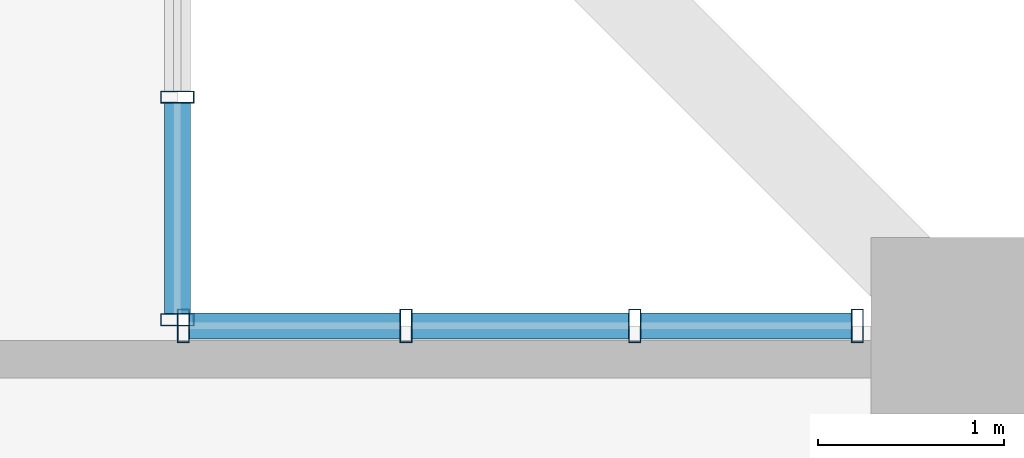
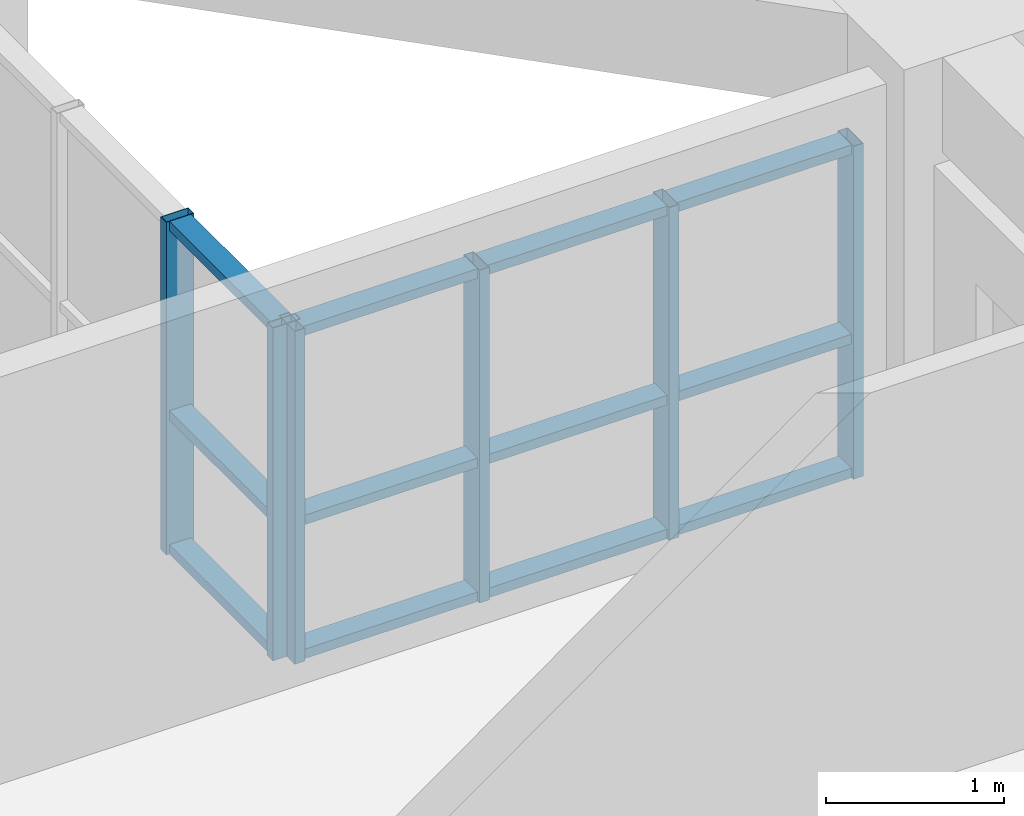
# One storey, part 10 of 26: 18 members, 2 elements without a shape of their own.
"""IFC4 building model written with IfcOpenShell, lengths in metres."""

from ifc_helpers import new_model, si_unit, direction, frame, origin, origin_2d, place, context, subcontext, project, spatial, hollow_rectangle, extrude, source, transform, mapped, material, layer, layer_set, material_profile, profile_set, type_object, element, aggregate, save


model = new_model("IFC4")

# Units and contexts
model_context = context("Model", 3, precision=1e-05, world=origin(), true_north=direction((0.0, 1.0)))
body_context = subcontext(model_context, "Body", "Model", "MODEL_VIEW")
ifc_project = project(units=[si_unit("LENGTHUNIT", "METRE"), si_unit("AREAUNIT", "SQUARE_METRE"), si_unit("VOLUMEUNIT", "CUBIC_METRE"), si_unit("PLANEANGLEUNIT", "RADIAN"), si_unit("MASSUNIT", "GRAM", prefix="KILO")], contexts=[model_context])

# Site, building, storey
site_placement = place(None, origin())
site = spatial("IfcSite", under=ifc_project, at=site_placement, CompositionType="ELEMENT")
building_placement = place(site_placement, origin())
building = spatial("IfcBuilding", under=site, at=building_placement, Name="Saelheon Loggia Tower", CompositionType="ELEMENT")
storey_placement = place(building_placement, frame((0.0, 0.0, 116.85009765625)))
storey = spatial("IfcBuildingStorey", under=building, at=storey_placement, Name="L37", CompositionType="ELEMENT", Elevation=116.85009765625)

# Curtain wall, members
ifc_material_1 = material(Name="Thermal-Break Aluminium and Triple Low-E Glass", Category="aluminium")
ifc_layer = layer(ifc_material_1, 0.159912109375)
ifc_layer_set = layer_set([ifc_layer], Name="Thermal-Break Aluminium and Triple Low-E Glass")
curtain_wall_type = type_object("IfcCurtainWallType", Name="CW_TowerLoggiaLow", PredefinedType="NOTDEFINED", material=ifc_layer_set)
curtain_wall_1_placement = place(storey_placement, origin())
curtain_wall_1 = element("IfcCurtainWall", 1, at=curtain_wall_1_placement, inside=storey, type_object=curtain_wall_type, Name="L37 Corner Notch Glazing NE1", PredefinedType="NOTDEFINED")
ifc_material_2 = material(Name="Anodised Aluminium 6063-T6", Category="aluminium")
ifc_material_profile_1 = material_profile(ifc_material_2, hollow_rectangle(XDim=0.06494140625, YDim=0.179931640625, WallThickness=0.00390625, at=origin_2d()), Name="RHS-180x65x4")
ifc_profile_set_1 = profile_set([ifc_material_profile_1], Name="Anodised Aluminium 6063-T6")
member_type_1 = type_object("IfcMemberType", Name="CW_TowerLoggiaLow_Mullion", PredefinedType="MULLION", material=ifc_profile_set_1)
shared_shape_1 = source(origin(), body_context, "Body", "SweptSolid", [
    extrude(hollow_rectangle(XDim=0.06494140625, YDim=0.179931640625, WallThickness=0.00390625, at=origin_2d()), origin(), (0.0, 0.0, 1.0), 2.27978515625),
])
member_1_placement = place(storey_placement, frame((59.800048828125, 46.83251953125, 0.0), z_axis=(0.0, 0.0, 1.0), x_axis=(0.0, 1.0, 0.0)))
member_1 = element("IfcMember", 2, at=member_1_placement, type_object=member_type_1, Name="CW3 mullion 1", PredefinedType="MULLION", context=body_context, shape_type="MappedRepresentation", body=[
    mapped(shared_shape_1, transform((0.0, 0.0, 0.0), scale=1.0)),
])
member_2_placement = place(storey_placement, frame((59.800048828125, 48.0283203125, 0.0), z_axis=(0.0, 0.0, 1.0), x_axis=(0.0, 1.0, 0.0)))
member_2 = element("IfcMember", 3, at=member_2_placement, type_object=member_type_1, Name="CW3 mullion 2", PredefinedType="MULLION", context=body_context, shape_type="MappedRepresentation", body=[
    mapped(shared_shape_1, transform((0.0, 0.0, 0.0), scale=1.0)),
])

curtain_wall_2_placement = place(storey_placement, origin())
curtain_wall_2 = element("IfcCurtainWall", 4, at=curtain_wall_2_placement, inside=storey, type_object=curtain_wall_type, Name="L37 Corner Notch Glazing NE2", PredefinedType="NOTDEFINED")
member_3_placement = place(storey_placement, frame((59.83251953125, 46.800048828125, 0.0), z_axis=(0.0, 0.0, 1.0), x_axis=(1.0, 0.0, 0.0)))
member_3 = element("IfcMember", 5, at=member_3_placement, type_object=member_type_1, Name="CW3 mullion 1", PredefinedType="MULLION", context=body_context, shape_type="MappedRepresentation", body=[
    mapped(shared_shape_1, transform((0.0, 0.0, 0.0), scale=1.0)),
])
member_4_placement = place(storey_placement, frame((61.0283203125, 46.800048828125, 0.0), z_axis=(0.0, 0.0, 1.0), x_axis=(1.0, 0.0, 0.0)))
member_4 = element("IfcMember", 6, at=member_4_placement, type_object=member_type_1, Name="CW3 mullion 2", PredefinedType="MULLION", context=body_context, shape_type="MappedRepresentation", body=[
    mapped(shared_shape_1, transform((0.0, 0.0, 0.0), scale=1.0)),
])
member_5_placement = place(storey_placement, frame((62.256591796875, 46.800048828125, 0.0), z_axis=(0.0, 0.0, 1.0), x_axis=(1.0, 0.0, 0.0)))
member_5 = element("IfcMember", 7, at=member_5_placement, type_object=member_type_1, Name="CW3 mullion 3", PredefinedType="MULLION", context=body_context, shape_type="MappedRepresentation", body=[
    mapped(shared_shape_1, transform((0.0, 0.0, 0.0), scale=1.0)),
])
member_6_placement = place(storey_placement, frame((63.452392578125, 46.800048828125, 0.0), z_axis=(0.0, 0.0, 1.0), x_axis=(1.0, 0.0, 0.0)))
member_6 = element("IfcMember", 8, at=member_6_placement, type_object=member_type_1, Name="CW3 mullion 4", PredefinedType="MULLION", context=body_context, shape_type="MappedRepresentation", body=[
    mapped(shared_shape_1, transform((0.0, 0.0, 0.0), scale=1.0)),
])

# Member
ifc_material_profile_2 = material_profile(ifc_material_2, hollow_rectangle(XDim=0.06494140625, YDim=0.139892578125, WallThickness=0.00390625, at=origin_2d()), Name="RHS-140x65x4")
ifc_profile_set_2 = profile_set([ifc_material_profile_2], Name="Anodised Aluminium 6063-T6")
member_type_2 = type_object("IfcMemberType", Name="CW_TowerLoggiaLow_Transom", PredefinedType="USERDEFINED", material=ifc_profile_set_2)
shared_shape_2 = source(origin(), body_context, "Body", "SweptSolid", [
    extrude(hollow_rectangle(XDim=0.06494140625, YDim=0.139892578125, WallThickness=0.00390625, at=origin_2d()), origin(), (0.0, 0.0, 1.0), 1.130859375),
])
member_7_placement = place(storey_placement, frame((59.800048828125, 46.864990234375, 0.032470703125), z_axis=(0.0, 1.0, 0.0), x_axis=(0.0, 0.0, 1.0)))
member_7 = element("IfcMember", 9, at=member_7_placement, type_object=member_type_2, Name="CW3 transom 1.1", ObjectType="TRANSOM", PredefinedType="USERDEFINED", context=body_context, shape_type="MappedRepresentation", body=[
    mapped(shared_shape_2, transform((0.0, 0.0, 0.0), scale=1.0)),
])

member_8_placement = place(storey_placement, frame((59.800048828125, 46.864990234375, 0.949951171875), z_axis=(0.0, 1.0, 0.0), x_axis=(0.0, 0.0, 1.0)))
member_8 = element("IfcMember", 10, at=member_8_placement, type_object=member_type_2, Name="CW3 transom 1.2", ObjectType="TRANSOM", PredefinedType="USERDEFINED", context=body_context, shape_type="MappedRepresentation", body=[
    mapped(shared_shape_2, transform((0.0, 0.0, 0.0), scale=1.0)),
])

member_9_placement = place(storey_placement, frame((59.800048828125, 46.864990234375, 2.247314453125), z_axis=(0.0, 1.0, 0.0), x_axis=(0.0, 0.0, 1.0)))
member_9 = element("IfcMember", 11, at=member_9_placement, type_object=member_type_2, Name="CW3 transom 1.3", ObjectType="TRANSOM", PredefinedType="USERDEFINED", context=body_context, shape_type="MappedRepresentation", body=[
    mapped(shared_shape_2, transform((0.0, 0.0, 0.0), scale=1.0)),
])

aggregate(curtain_wall_1, [member_1, member_2, member_7, member_8, member_9])

member_10_placement = place(storey_placement, frame((59.864990234375, 46.800048828125, 0.032470703125), z_axis=(1.0, 0.0, 0.0), x_axis=(0.0, 0.0, 1.0)))
member_10 = element("IfcMember", 12, at=member_10_placement, type_object=member_type_2, Name="CW3 transom 1.1", ObjectType="TRANSOM", PredefinedType="USERDEFINED", context=body_context, shape_type="MappedRepresentation", body=[
    mapped(shared_shape_2, transform((0.0, 0.0, 0.0), scale=1.0)),
])

member_11_placement = place(storey_placement, frame((59.864990234375, 46.800048828125, 0.949951171875), z_axis=(1.0, 0.0, 0.0), x_axis=(0.0, 0.0, 1.0)))
member_11 = element("IfcMember", 13, at=member_11_placement, type_object=member_type_2, Name="CW3 transom 1.2", ObjectType="TRANSOM", PredefinedType="USERDEFINED", context=body_context, shape_type="MappedRepresentation", body=[
    mapped(shared_shape_2, transform((0.0, 0.0, 0.0), scale=1.0)),
])

member_12_placement = place(storey_placement, frame((59.864990234375, 46.800048828125, 2.247314453125), z_axis=(1.0, 0.0, 0.0), x_axis=(0.0, 0.0, 1.0)))
member_12 = element("IfcMember", 14, at=member_12_placement, type_object=member_type_2, Name="CW3 transom 1.3", ObjectType="TRANSOM", PredefinedType="USERDEFINED", context=body_context, shape_type="MappedRepresentation", body=[
    mapped(shared_shape_2, transform((0.0, 0.0, 0.0), scale=1.0)),
])

member_13_placement = place(storey_placement, frame((62.2890625, 46.800048828125, 0.032470703125), z_axis=(1.0, 0.0, 0.0), x_axis=(0.0, 0.0, 1.0)))
member_13 = element("IfcMember", 15, at=member_13_placement, type_object=member_type_2, Name="CW3 transom 3.1", ObjectType="TRANSOM", PredefinedType="USERDEFINED", context=body_context, shape_type="MappedRepresentation", body=[
    mapped(shared_shape_2, transform((0.0, 0.0, 0.0), scale=1.0)),
])

member_14_placement = place(storey_placement, frame((62.2890625, 46.800048828125, 0.949951171875), z_axis=(1.0, 0.0, 0.0), x_axis=(0.0, 0.0, 1.0)))
member_14 = element("IfcMember", 16, at=member_14_placement, type_object=member_type_2, Name="CW3 transom 3.2", ObjectType="TRANSOM", PredefinedType="USERDEFINED", context=body_context, shape_type="MappedRepresentation", body=[
    mapped(shared_shape_2, transform((0.0, 0.0, 0.0), scale=1.0)),
])

member_15_placement = place(storey_placement, frame((62.2890625, 46.800048828125, 2.247314453125), z_axis=(1.0, 0.0, 0.0), x_axis=(0.0, 0.0, 1.0)))
member_15 = element("IfcMember", 17, at=member_15_placement, type_object=member_type_2, Name="CW3 transom 3.3", ObjectType="TRANSOM", PredefinedType="USERDEFINED", context=body_context, shape_type="MappedRepresentation", body=[
    mapped(shared_shape_2, transform((0.0, 0.0, 0.0), scale=1.0)),
])

shared_shape_3 = source(origin(), body_context, "Body", "SweptSolid", [
    extrude(hollow_rectangle(XDim=0.06494140625, YDim=0.139892578125, WallThickness=0.00390625, at=origin_2d()), origin(), (0.0, 0.0, 1.0), 1.163330078125),
])
member_16_placement = place(storey_placement, frame((61.060791015625, 46.800048828125, 0.032470703125), z_axis=(1.0, 0.0, 0.0), x_axis=(0.0, 0.0, 1.0)))
member_16 = element("IfcMember", 18, at=member_16_placement, type_object=member_type_2, Name="CW3 transom 2.1", ObjectType="TRANSOM", PredefinedType="USERDEFINED", context=body_context, shape_type="MappedRepresentation", body=[
    mapped(shared_shape_3, transform((0.0, 0.0, 0.0), scale=1.0)),
])

member_17_placement = place(storey_placement, frame((61.060791015625, 46.800048828125, 0.949951171875), z_axis=(1.0, 0.0, 0.0), x_axis=(0.0, 0.0, 1.0)))
member_17 = element("IfcMember", 19, at=member_17_placement, type_object=member_type_2, Name="CW3 transom 2.2", ObjectType="TRANSOM", PredefinedType="USERDEFINED", context=body_context, shape_type="MappedRepresentation", body=[
    mapped(shared_shape_3, transform((0.0, 0.0, 0.0), scale=1.0)),
])

member_18_placement = place(storey_placement, frame((61.060791015625, 46.800048828125, 2.247314453125), z_axis=(1.0, 0.0, 0.0), x_axis=(0.0, 0.0, 1.0)))
member_18 = element("IfcMember", 20, at=member_18_placement, type_object=member_type_2, Name="CW3 transom 2.3", ObjectType="TRANSOM", PredefinedType="USERDEFINED", context=body_context, shape_type="MappedRepresentation", body=[
    mapped(shared_shape_3, transform((0.0, 0.0, 0.0), scale=1.0)),
])

aggregate(curtain_wall_2, [member_3, member_4, member_5, member_6, member_10, member_11, member_12, member_16, member_17, member_18, member_13, member_14, member_15])

save(model, "model.ifc")
